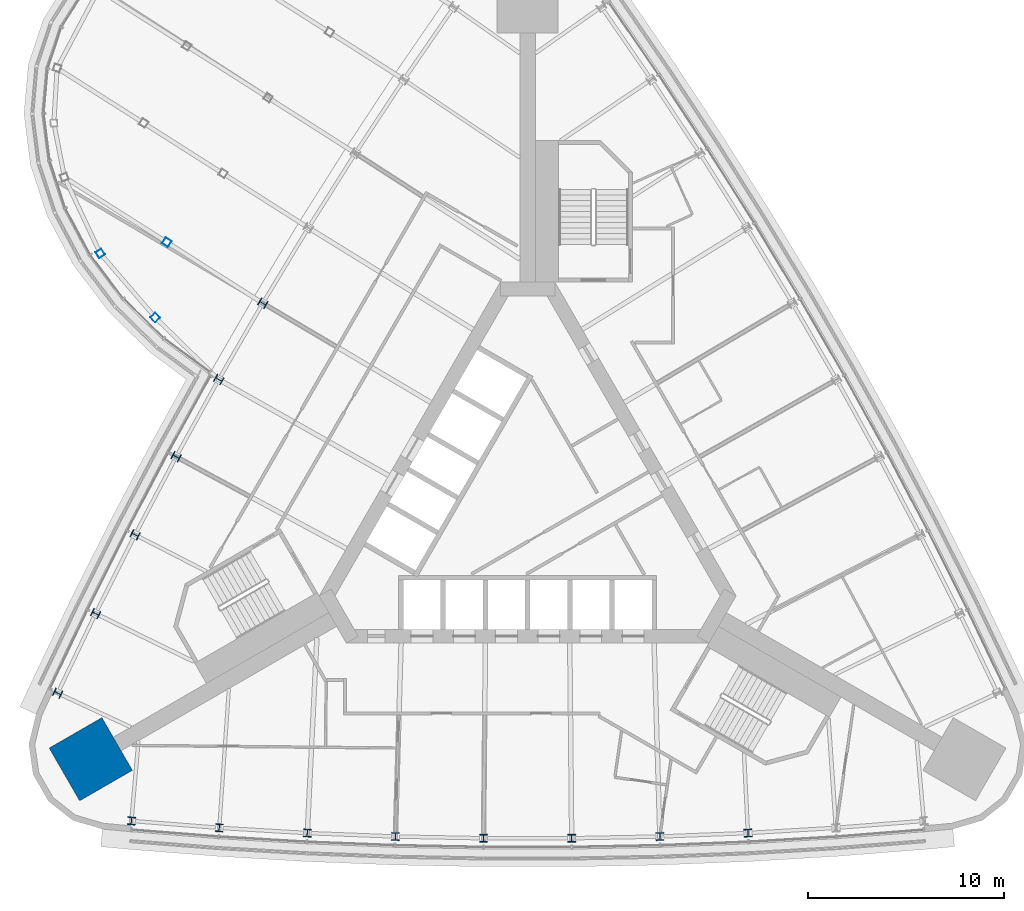
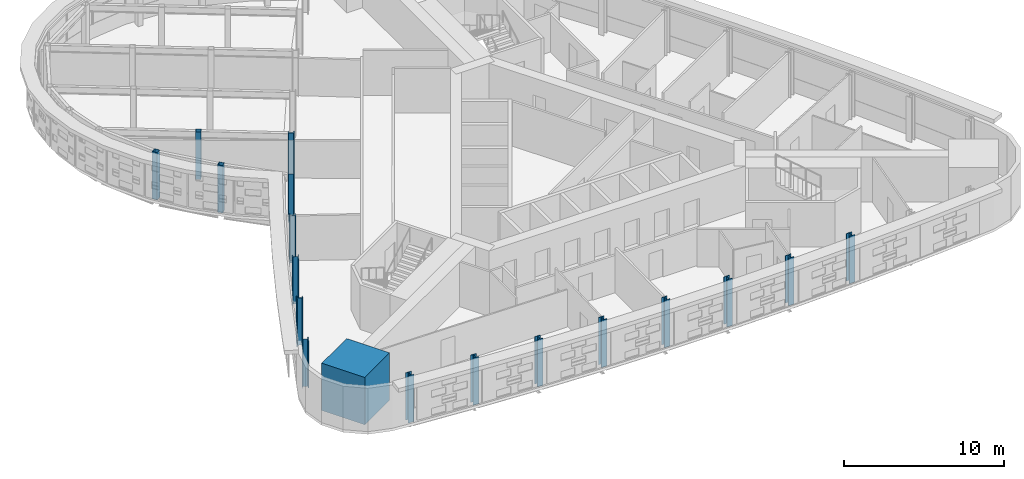
# One storey, part 1 of 17: 18 columns.
"""IFC4 building model written with IfcOpenShell, lengths in metres."""

import ifcopenshell
import ifcopenshell.guid

model = None  # the IFC model being written
_history = None  # IfcOwnerHistory: only IFC2X3 demands one
_inside = {}  # id of a spatial element -> (the spatial element, [elements in it])
_under = {}  # id of a project, library or spatial element -> (it, [spatial elements below it])
_declared = {}  # id of a project -> (the project, [libraries it declares])
_typed = {}  # id of a type object -> (the type object, [elements of that type])
_made_of = {}  # id of a material, layer set ... -> (it, [elements and type objects made of it])


def new_model(schema):
    """Start an empty IFC model of exactly this schema.

    Asked for "IFC4X3", IfcOpenShell would pick the latest addendum, in which some entities
    have other attributes; the version numbers below select the first issue.
    IFC2X3 requires an IfcOwnerHistory on every rooted entity: one is made here for all.
    """
    global model, _history
    if schema == "IFC4X3":
        model = ifcopenshell.file(schema_version=(4, 3, 0, 0))
    else:
        model = ifcopenshell.file(schema=schema)
    _inside.clear()
    _under.clear()
    _declared.clear()
    _typed.clear()
    _made_of.clear()
    _history = None
    if model.schema == "IFC2X3":
        org = make("IfcOrganization", Name="unknown")
        user = make(
            "IfcPersonAndOrganization",
            ThePerson=make("IfcPerson", FamilyName="unknown"),
            TheOrganization=org,
        )
        app = make(
            "IfcApplication",
            ApplicationDeveloper=org,
            Version="unknown",
            ApplicationFullName="unknown",
            ApplicationIdentifier="unknown",
        )
        _history = make(
            "IfcOwnerHistory",
            OwningUser=user,
            OwningApplication=app,
            ChangeAction="ADDED",
            CreationDate=0,
        )
    return model


def make(cls, **values):
    """One entity of the class cls with the attributes given. An attribute that is None is left unset."""
    return model.create_entity(
        cls, **{name: value for name, value in values.items() if value is not None}
    )


def rooted(cls, **values):
    """An entity with a GlobalId (a new one), such as an element, a storey or a relation."""
    return make(cls, GlobalId=ifcopenshell.guid.new(), OwnerHistory=_history, **values)


def si_unit(unit_type, name, prefix=None):
    """IfcSIUnit, for example si_unit("LENGTHUNIT", "METRE", prefix="MILLI")."""
    return make("IfcSIUnit", UnitType=unit_type, Prefix=prefix, Name=name)


def assignment(units):
    """IfcUnitAssignment: the units of a project."""
    return None if units is None else make("IfcUnitAssignment", Units=units)


def point(xyz):
    """IfcCartesianPoint."""
    return None if xyz is None else make("IfcCartesianPoint", Coordinates=xyz)


def direction(xyz):
    """IfcDirection."""
    return None if xyz is None else make("IfcDirection", DirectionRatios=xyz)


def frame(location, z_axis=None, x_axis=None):
    """IfcAxis2Placement3D, a coordinate frame: its origin and axes. An axis left out is left unset."""
    return make(
        "IfcAxis2Placement3D",
        Location=point(location),
        Axis=direction(z_axis),
        RefDirection=direction(x_axis),
    )


def frame_2d(location, x_axis=None):
    """IfcAxis2Placement2D, a coordinate frame in the plane: its origin and x axis."""
    return make(
        "IfcAxis2Placement2D", Location=point(location), RefDirection=direction(x_axis)
    )


def origin():
    """The frame at (0, 0, 0) with its axes left unset."""
    return frame((0.0, 0.0, 0.0))


def origin_2d():
    """The frame at (0, 0) in the plane with its x axis left unset."""
    return frame_2d((0.0, 0.0))


def place(relative_to, where):
    """IfcLocalPlacement: puts the frame where relative to a parent placement (None: the world)."""
    return make(
        "IfcLocalPlacement", PlacementRelTo=relative_to, RelativePlacement=where
    )


def context(
    kind, dimensions, precision=None, world=None, true_north=None, identifier=None
):
    """IfcGeometricRepresentationContext, for example the 3D "Model" context."""
    return make(
        "IfcGeometricRepresentationContext",
        ContextIdentifier=identifier,
        ContextType=kind,
        CoordinateSpaceDimension=dimensions,
        Precision=precision,
        WorldCoordinateSystem=world,
        TrueNorth=true_north,
    )


def subcontext(parent, identifier, kind, view, scale=None):
    """IfcGeometricRepresentationSubContext, for example "Body" below "Model"."""
    return make(
        "IfcGeometricRepresentationSubContext",
        ContextIdentifier=identifier,
        ContextType=kind,
        ParentContext=parent,
        TargetScale=scale,
        TargetView=view,
    )


def project(units=None, contexts=None):
    """IfcProject with its units and contexts."""
    return rooted(
        "IfcProject",
        Name="project",
        RepresentationContexts=contexts,
        UnitsInContext=assignment(units),
    )


def spatial(cls, under=None, at=None, **own):
    """A site, building, storey or space (cls), placed at a placement, below another one or the project."""
    s = rooted(cls, ObjectPlacement=at, **own)
    if under is not None:
        _under.setdefault(under.id(), (under, []))[1].append(s)
    return s


def profile(cls, at=None, kind="AREA", **sizes):
    """A parametric profile (cls). Its sizes go by their IFC names, for example OverallWidth=200.0."""
    return make(cls, ProfileType=kind, Position=at, **sizes)


def rectangle(**sizes):
    """IfcRectangleProfileDef."""
    return profile("IfcRectangleProfileDef", **sizes)


def hollow_rectangle(**sizes):
    """IfcRectangleHollowProfileDef."""
    return profile("IfcRectangleHollowProfileDef", **sizes)


def i_section(**sizes):
    """IfcIShapeProfileDef."""
    return profile("IfcIShapeProfileDef", **sizes)


def extrude(swept, where, along, depth):
    """IfcExtrudedAreaSolid: the profile swept, set in the frame where, extruded along a direction by depth."""
    return make(
        "IfcExtrudedAreaSolid",
        SweptArea=swept,
        Position=where,
        ExtrudedDirection=direction(along),
        Depth=depth,
    )


def shape(context_of_items, identifier, shape_type, items):
    """IfcShapeRepresentation: the items that make up one representation, for example the "Body"."""
    return make(
        "IfcShapeRepresentation",
        ContextOfItems=context_of_items,
        RepresentationIdentifier=identifier,
        RepresentationType=shape_type,
        Items=items,
    )


def material(Name=None, Category=None):
    """IfcMaterial."""
    return make("IfcMaterial", Name=Name, Category=Category)


def material_profile(
    of_material, cross_section, Name=None, Category=None, Priority=None
):
    """IfcMaterialProfile: a cross section and its material."""
    return make(
        "IfcMaterialProfile",
        Name=Name,
        Material=of_material,
        Profile=cross_section,
        Priority=Priority,
        Category=Category,
    )


def profile_set(profiles, Name=None, composite=None):
    """IfcMaterialProfileSet."""
    return make(
        "IfcMaterialProfileSet",
        Name=Name,
        MaterialProfiles=profiles,
        CompositeProfile=composite,
    )


def made_of(thing, what):
    """Note that an element or type object is made of a material, layer set ...; save() writes the relation."""
    if what is not None:
        _made_of.setdefault(what.id(), (what, []))[1].append(thing)
    return thing


def type_object(cls, material=None, **own):
    """A type object (cls), such as IfcWallType, which elements share."""
    return made_of(rooted(cls, **own), material)


def element(
    cls,
    number,
    at=None,
    inside=None,
    cuts=None,
    type_object=None,
    material=None,
    context=None,
    identifier="Body",
    shape_type=None,
    held_by="IfcProductDefinitionShape",
    body=None,
    shapes=None,
    **own,
):
    """One element of the class cls, such as IfcWall. Its Tag is "e" and its number.

    at: its placement. inside: the storey or other place that contains it. cuts: it is an
    opening in that element (IfcRelVoidsElement). A single representation is given by context,
    identifier, shape_type and body (its items); several are given by shapes. held_by: the class
    of the entity that holds the representations. save() writes the other relations.
    """
    e = rooted(cls, Tag="e%d" % number, ObjectPlacement=at, **own)
    if body is not None:
        shapes = [shape(context, identifier, shape_type, body)]
    if shapes is not None:
        e.Representation = make(held_by, Representations=shapes)
    if inside is not None:
        _inside.setdefault(inside.id(), (inside, []))[1].append(e)
    if cuts is not None:
        rooted(
            "IfcRelVoidsElement", RelatingBuildingElement=cuts, RelatedOpeningElement=e
        )
    if type_object is not None:
        _typed.setdefault(type_object.id(), (type_object, []))[1].append(e)
    return made_of(e, material)


def aggregate(whole, parts):
    """IfcRelAggregates: a whole, such as a stair, and the parts it consists of."""
    return rooted("IfcRelAggregates", RelatingObject=whole, RelatedObjects=parts)


def save(model, path):
    """Write the relations noted so far, then the file.

    IfcRelAggregates (storeys below a building ...), IfcRelContainedInSpatialStructure (elements
    in a storey), IfcRelDefinesByType, IfcRelAssociatesMaterial and IfcRelDeclares: one each for
    every whole, place, type object, material and project.
    """
    for whole, parts in _under.values():
        aggregate(whole, parts)
    for where, things in _inside.values():
        rooted(
            "IfcRelContainedInSpatialStructure",
            RelatedElements=things,
            RelatingStructure=where,
        )
    for kind, things in _typed.values():
        rooted("IfcRelDefinesByType", RelatedObjects=things, RelatingType=kind)
    for what, things in _made_of.values():
        rooted("IfcRelAssociatesMaterial", RelatedObjects=things, RelatingMaterial=what)
    for by, libraries in _declared.values():
        rooted("IfcRelDeclares", RelatingContext=by, RelatedDefinitions=libraries)
    model.write(path)


model = new_model("IFC4")

# Units and contexts
model_context = context("Model", 3, precision=1e-05, world=origin(), true_north=direction((0.0, 1.0)))
body_context = subcontext(model_context, "Body", "Model", "MODEL_VIEW")
ifc_project = project(units=[si_unit("LENGTHUNIT", "METRE"), si_unit("AREAUNIT", "SQUARE_METRE"), si_unit("VOLUMEUNIT", "CUBIC_METRE"), si_unit("PLANEANGLEUNIT", "RADIAN"), si_unit("MASSUNIT", "GRAM", prefix="KILO")], contexts=[model_context])

# Site, building, storey
site_placement = place(None, origin())
site = spatial("IfcSite", under=ifc_project, at=site_placement, CompositionType="ELEMENT")
building_placement = place(site_placement, origin())
building = spatial("IfcBuilding", under=site, at=building_placement, Name="Noor Cloister Tower", CompositionType="ELEMENT")
storey_placement = place(building_placement, frame((0.0, 0.0, 102.300048828125)))
storey = spatial("IfcBuildingStorey", under=building, at=storey_placement, Name="L26", CompositionType="ELEMENT", Elevation=102.300048828125)

# Columns
ifc_material_1 = material(Name="Steel ASTM A992 Gr 50", Category="steel")
ifc_material_profile_1 = material_profile(ifc_material_1, i_section(OverallWidth=0.40087890625, OverallDepth=0.39892578125, WebThickness=0.02490234375, FlangeThickness=0.03955078125, FilletRadius=0.015380859375, at=origin_2d()), Name="W360x314")
ifc_profile_set_1 = profile_set([ifc_material_profile_1], Name="Steel ASTM A992 Gr 50")
column_type_1 = type_object("IfcColumnType", Name="Column W360x314", PredefinedType="COLUMN", material=ifc_profile_set_1)
for number, where, z_axis, x_axis, name in (
    (1, (-13.484375, 10.376953125, -0.199951171875), (0.0, 0.0, 1.0), (-0.508498755365, -0.861062724656, 0.0), "Column NW 05 L26"),
    (2, (-15.72900390625, 6.489501953125, -0.199951171875), (0.0, 0.0, 1.0), (-0.491452816121, -0.870904202267, 0.0), "Column NW 06 L26"),
    (3, (-17.896728515625, 2.558349609375, -0.199951171875), (0.0, 0.0, 1.0), (-0.474216478854, -0.880408275281, 0.0), "Column NW 07 L26"),
    (4, (-19.986328125, -1.414794921875, -0.199951171875), (0.0, 0.0, 1.0), (-0.456796421257, -0.889571261635, 0.0), "Column NW 08 L26"),
    (5, (-21.99755859375, -5.427978515625, -0.199951171875), (0.0, 0.0, 1.0), (-0.439199392158, -0.898389611432, 0.0), "Column NW 09 L26"),
    (6, (-23.929443359375, -9.480224609375, -0.199951171875), (0.0, 0.0, 1.0), (-0.421432208989, -0.906859908269, 0.0), "Column NW 10 L26"),
    (7, (-20.1748046875, -15.9833984375, -0.199951171875), (0.0, 0.0, 1.0), (0.99607982273, -0.088458955177, 0.0), "Column S 01 L26"),
    (8, (-15.69970703125, -16.33642578125, -0.199951171875), (0.0, 0.0, 1.0), (0.997627922075, -0.06883697478, 0.0), "Column S 02 L26"),
    (9, (-11.218505859375, -16.601318359375, -0.199951171875), (0.0, 0.0, 1.0), (0.998789521681, -0.049188325651, 0.0), "Column S 03 L26"),
    (10, (-6.732666015625, -16.778076171875, -0.199951171875), (0.0, 0.0, 1.0), (0.999564171522, -0.02952062006, 0.0), "Column S 04 L26"),
    (11, (-2.24462890625, -16.866455078125, -0.199951171875), (0.0, 0.0, 1.0), (0.999951571487, -0.009841477611, 0.0), "Column S 05 L26"),
    (12, (2.24462890625, -16.866455078125, -0.199951171875), (0.0, 0.0, 1.0), (0.999951571487, 0.009841477611, 0.0), "Column S 06 L26"),
    (13, (6.732666015625, -16.778076171875, -0.199951171875), (0.0, 0.0, 1.0), (0.999564171522, 0.02952062006, 0.0), "Column S 07 L26"),
    (14, (11.218505859375, -16.601318359375, -0.199951171875), (0.0, 0.0, 1.0), (0.998789521681, 0.049188325651, 0.0), "Column S 08 L26"),
):
    element("IfcColumn", number, at=place(storey_placement, frame(where, z_axis=z_axis, x_axis=x_axis)), inside=storey, type_object=column_type_1, Name=name, PredefinedType="COLUMN", context=body_context, shape_type="SweptSolid", body=[
        extrude(i_section(OverallWidth=0.40087890625, OverallDepth=0.39892578125, WebThickness=0.02490234375, FlangeThickness=0.03955078125, FilletRadius=0.015380859375, at=origin_2d()), origin(), (0.0, 0.0, 1.0), 3.599853515625),
    ])
ifc_material_2 = material(Name="Concrete C80/95", Category="concrete")
ifc_material_profile_2 = material_profile(ifc_material_2, rectangle(XDim=3.10009765625, YDim=3.10009765625, at=origin_2d()), Name="RC 3100x3100")
ifc_profile_set_2 = profile_set([ifc_material_profile_2], Name="Concrete C80/95")
column_type_2 = type_object("IfcColumnType", Name="Corner pier 3100 x 3100 C80/95", PredefinedType="COLUMN", material=ifc_profile_set_2)
column_placement = place(storey_placement, frame((-22.242919921875, -12.842041015625, -0.199951171875), z_axis=(0.0, 0.0, 1.0), x_axis=(-0.866025403784, -0.5, 0.0)))
element("IfcColumn", 15, at=column_placement, inside=storey, type_object=column_type_2, Name="Corner pier SW L26", PredefinedType="COLUMN", context=body_context, shape_type="SweptSolid", body=[
    extrude(rectangle(XDim=3.10009765625, YDim=3.10009765625, at=origin_2d()), origin(), (0.0, 0.0, 1.0), 3.599853515625),
])
ifc_material_3 = material(Name="Steel ASTM A500 Gr C", Category="steel")
ifc_material_profile_3 = material_profile(ifc_material_3, hollow_rectangle(XDim=0.35595703125, YDim=0.35595703125, WallThickness=0.0126953125, at=origin_2d()), Name="HSS355.6x355.6x12.7")
ifc_profile_set_3 = profile_set([ifc_material_profile_3], Name="Steel ASTM A500 Gr C")
column_type_3 = type_object("IfcColumnType", Name="Pod post HSS355.6x355.6x12.7", PredefinedType="COLUMN", material=ifc_profile_set_3)
for number, where, z_axis, x_axis, name in (
    (16, (-18.37158203125, 13.482666015625, -0.199951171875), (0.0, 0.0, 1.0), (-0.843995500683, 0.536350253871, 0.0), "Pod post 2 L26 line 5 node 1"),
    (17, (-21.759033203125, 12.91259765625, -0.199951171875), (0.0, 0.0, 1.0), (0.543433781769, -0.839452038435, 0.0), "Pod post 2 L26 ring 10"),
    (18, (-18.95947265625, 9.65087890625, -0.199951171875), (0.0, 0.0, 1.0), (0.683681183545, -0.729780815908, 0.0), "Pod post 2 L26 ring 11"),
):
    element("IfcColumn", number, at=place(storey_placement, frame(where, z_axis=z_axis, x_axis=x_axis)), inside=storey, type_object=column_type_3, Name=name, PredefinedType="COLUMN", context=body_context, shape_type="SweptSolid", body=[
        extrude(hollow_rectangle(XDim=0.35595703125, YDim=0.35595703125, WallThickness=0.0126953125, at=origin_2d()), origin(), (0.0, 0.0, 1.0), 3.599853515625),
    ])

save(model, "model.ifc")
